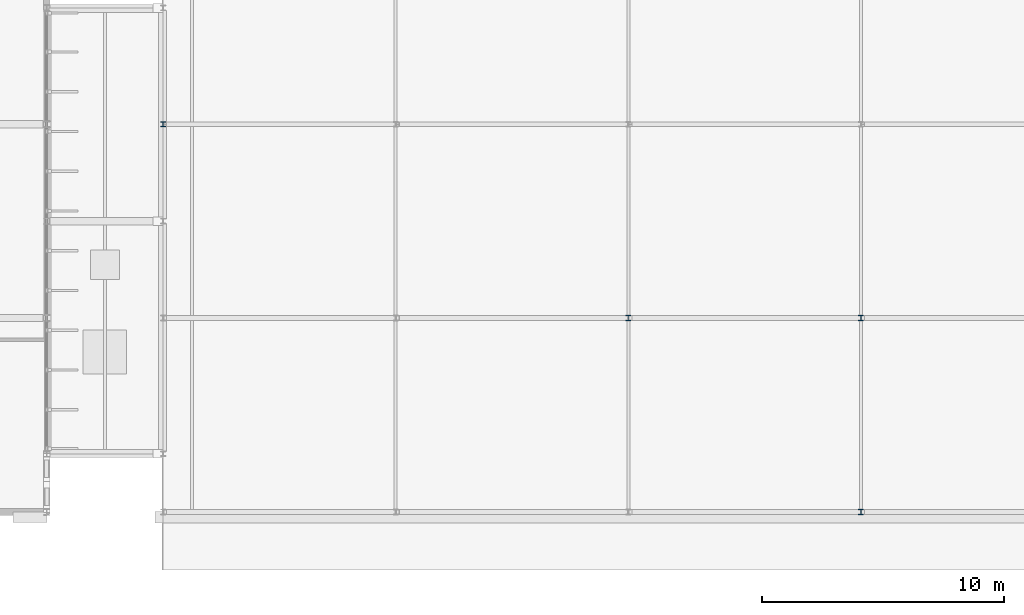
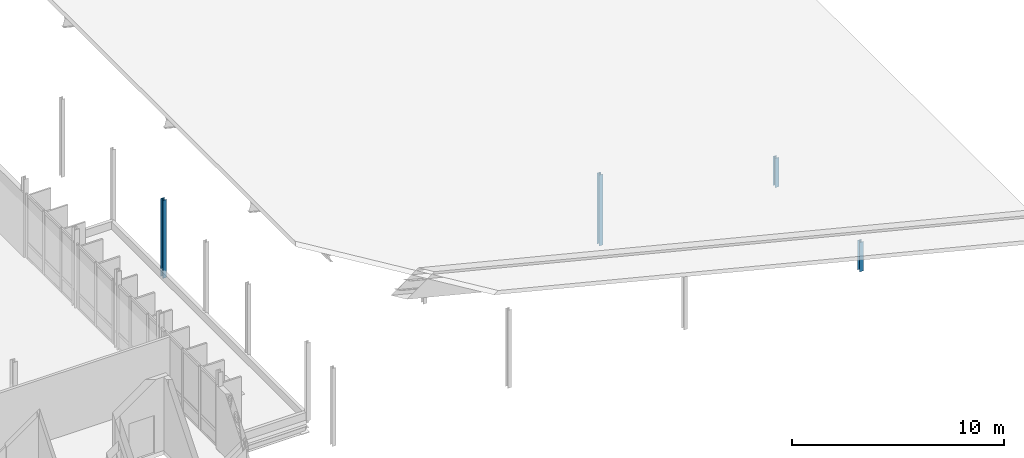
# One storey, part 13 of 93: 4 columns.
"""IFC4 building model written with IfcOpenShell, lengths in metres."""

from ifc_helpers import new_model, si_unit, direction, frame, origin, origin_2d, place, context, subcontext, project, spatial, i_section, extrude, material, material_profile, profile_set, type_object, element, save


model = new_model("IFC4")

# Units and contexts
model_context = context("Model", 3, precision=1e-05, world=origin(), true_north=direction((0.0, 1.0)))
body_context = subcontext(model_context, "Body", "Model", "MODEL_VIEW")
ifc_project = project(units=[si_unit("LENGTHUNIT", "METRE"), si_unit("AREAUNIT", "SQUARE_METRE"), si_unit("VOLUMEUNIT", "CUBIC_METRE"), si_unit("PLANEANGLEUNIT", "RADIAN"), si_unit("MASSUNIT", "GRAM", prefix="KILO")], contexts=[model_context])

# Site, building, storey
site_placement = place(None, origin())
site = spatial("IfcSite", under=ifc_project, at=site_placement, CompositionType="ELEMENT")
building_placement = place(site_placement, origin())
building = spatial("IfcBuilding", under=site, at=building_placement, Name="Dunescarp Central Library", CompositionType="ELEMENT")
storey_placement = place(building_placement, frame((0.0, 0.0, 14.10009765625)))
storey = spatial("IfcBuildingStorey", under=building, at=storey_placement, Name="L03", CompositionType="ELEMENT", Elevation=14.10009765625)

# Columns
ifc_material = material(Name="Steel S355JR", Category="steel")
ifc_material_profile = material_profile(ifc_material, i_section(OverallWidth=0.206298828125, OverallDepth=0.2158203125, WebThickness=0.010009765625, FlangeThickness=0.017333984375, at=origin_2d()), Name="UC 203x203x71")
ifc_profile_set = profile_set([ifc_material_profile], Name="Steel S355JR")
column_type = type_object("IfcColumnType", Name="STR-COL-UC203X71", PredefinedType="COLUMN", material=ifc_profile_set)
column_1_placement = place(storey_placement, frame((129.60009765625, 20.800048828125, 0.0), z_axis=(0.0, 0.0, 1.0), x_axis=(1.0, 0.0, 0.0)))
element("IfcColumn", 1, at=column_1_placement, inside=storey, type_object=column_type, Name="L03 column V5-1296-208", PredefinedType="COLUMN", context=body_context, shape_type="SweptSolid", body=[
    extrude(i_section(OverallWidth=0.206298828125, OverallDepth=0.2158203125, WebThickness=0.010009765625, FlangeThickness=0.017333984375, at=origin_2d()), origin(), (0.0, 0.0, 1.0), 4.5),
])
column_2_placement = place(storey_placement, frame((148.800048828125, 12.800048828125, 0.0), z_axis=(0.0, 0.0, 1.0), x_axis=(1.0, 0.0, 0.0)))
element("IfcColumn", 2, at=column_2_placement, inside=storey, type_object=column_type, Name="L03 column V5-1488-128", PredefinedType="COLUMN", context=body_context, shape_type="SweptSolid", body=[
    extrude(i_section(OverallWidth=0.206298828125, OverallDepth=0.2158203125, WebThickness=0.010009765625, FlangeThickness=0.017333984375, at=origin_2d()), origin(), (0.0, 0.0, 1.0), 4.093017578125),
])
for number, where, z_axis, x_axis, name in (
    (3, (158.39990234375, 4.800048828125, 0.0), (0.0, 0.0, 1.0), (1.0, 0.0, 0.0), "L03 column V5-1584-48"),
    (4, (158.39990234375, 12.800048828125, 0.0), (0.0, 0.0, 1.0), (1.0, 0.0, 0.0), "L03 column V5-1584-128"),
):
    element("IfcColumn", number, at=place(storey_placement, frame(where, z_axis=z_axis, x_axis=x_axis)), inside=storey, type_object=column_type, Name=name, PredefinedType="COLUMN", context=body_context, shape_type="SweptSolid", body=[
        extrude(i_section(OverallWidth=0.206298828125, OverallDepth=0.2158203125, WebThickness=0.010009765625, FlangeThickness=0.017333984375, at=origin_2d()), origin(), (0.0, 0.0, 1.0), 1.69287109375),
    ])

save(model, "model.ifc")
